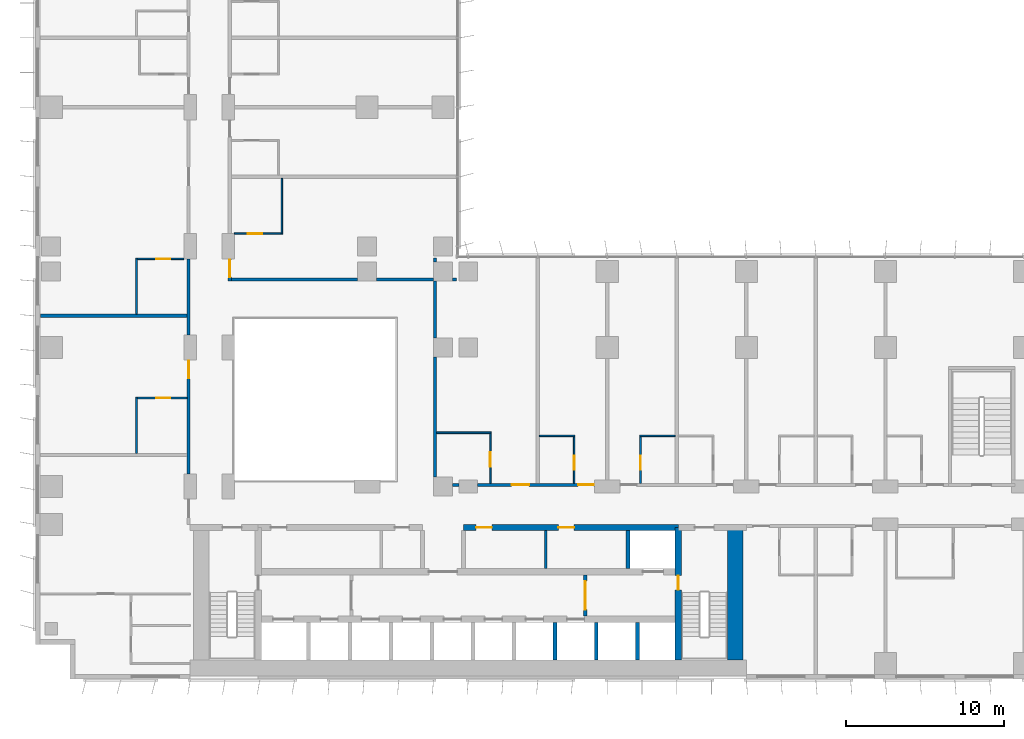
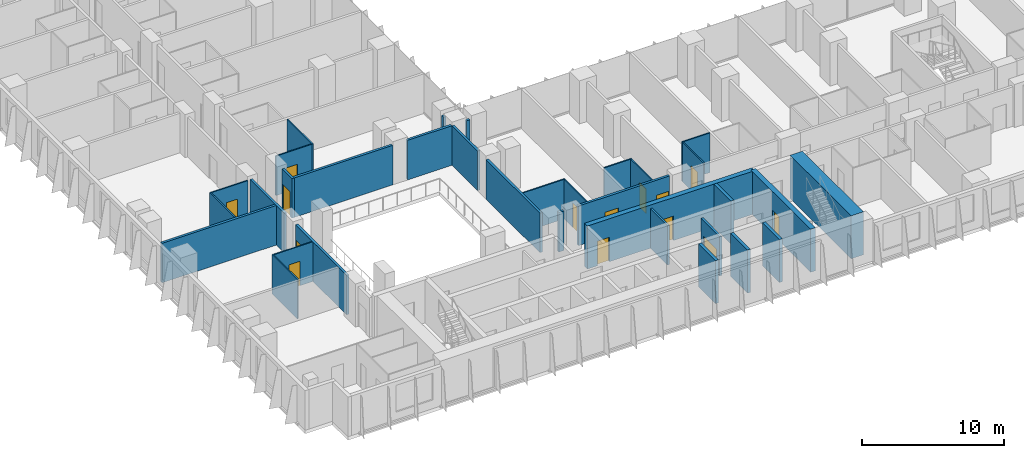
# One storey, part 13 of 24: 33 walls, 14 doors, 14 openings.
"""IFC4 building model written with IfcOpenShell, lengths in metres."""

from ifc_helpers import new_model, si_unit, direction, frame, frame_2d, origin, place, context, subcontext, project, spatial, rectangle, extrude, material, layer, layer_set, type_object, element, fill, save


model = new_model("IFC4")

# Units and contexts
model_context = context("Model", 3, precision=1e-05, world=origin(), true_north=direction((0.0, 1.0)))
body_context = subcontext(model_context, "Body", "Model", "MODEL_VIEW")
ifc_project = project(units=[si_unit("LENGTHUNIT", "METRE"), si_unit("AREAUNIT", "SQUARE_METRE"), si_unit("VOLUMEUNIT", "CUBIC_METRE"), si_unit("PLANEANGLEUNIT", "RADIAN"), si_unit("MASSUNIT", "GRAM", prefix="KILO")], contexts=[model_context])

# Site, building, storey
site_placement = place(None, origin())
site = spatial("IfcSite", under=ifc_project, at=site_placement, CompositionType="ELEMENT")
building_placement = place(site_placement, origin())
building = spatial("IfcBuilding", under=site, at=building_placement, Name="Kemantara Hotel Tower", CompositionType="ELEMENT")
storey_placement = place(building_placement, frame((0.0, 0.0, 37.699951171875)))
storey = spatial("IfcBuildingStorey", under=building, at=storey_placement, Name="L07", CompositionType="ELEMENT", Elevation=37.699951171875)

# Walls
ifc_material_1 = material(Name="Concrete fc 70 MPa", Category="concrete")
ifc_layer_1 = layer(ifc_material_1, 1.0)
ifc_layer_set_1 = layer_set([ifc_layer_1], Name="Concrete fc 70 MPa")
wall_type_1 = type_object("IfcWallType", Name="CORE WALL 1000 FC70", PredefinedType="SHEAR", material=ifc_layer_set_1)
wall_1_placement = place(storey_placement, frame((44.300048828125, 1.199951171875, 0.0), z_axis=(0.0, 0.0, 1.0), x_axis=(0.0, 1.0, 0.0)))
element("IfcWall", 1, at=wall_1_placement, inside=storey, type_object=wall_type_1, Name="CORE WALL CW-E", PredefinedType="SHEAR", context=body_context, shape_type="SweptSolid", body=[
    extrude(rectangle(XDim=8.60009765625, YDim=1.0, at=frame_2d((4.300048828125, 0.0))), origin(), (0.0, 0.0, 1.0), 3.699951171875),
])
ifc_layer_2 = layer(ifc_material_1, 0.25)
ifc_layer_set_2 = layer_set([ifc_layer_2], Name="Concrete fc 70 MPa")
wall_type_2 = type_object("IfcWallType", Name="CORE WALL 250 FC70", PredefinedType="SHEAR", material=ifc_layer_set_2)
for number, where, z_axis, x_axis, name in (
    (2, (32.89990234375, 1.199951171875, 0.0), (0.0, 0.0, 1.0), (0.0, 1.0, 0.0), "CORE WALL CW-DS32.9"),
    (3, (35.5, 1.199951171875, 0.0), (0.0, 0.0, 1.0), (0.0, 1.0, 0.0), "CORE WALL CW-DS35.5"),
    (4, (38.10009765625, 1.199951171875, 0.0), (0.0, 0.0, 1.0), (0.0, 1.0, 0.0), "CORE WALL CW-DS38.1"),
):
    element("IfcWall", number, at=place(storey_placement, frame(where, z_axis=z_axis, x_axis=x_axis)), inside=storey, type_object=wall_type_2, Name=name, PredefinedType="SHEAR", context=body_context, shape_type="SweptSolid", body=[
        extrude(rectangle(XDim=2.400146484375, YDim=0.25, at=frame_2d((1.2001953125, 0.0))), origin(), (0.0, 0.0, 1.0), 3.699951171875),
    ])
wall_2_placement = place(storey_placement, frame((37.5, 7.0, 0.0), z_axis=(0.0, 0.0, 1.0), x_axis=(0.0, 1.0, 0.0)))
element("IfcWall", 5, at=wall_2_placement, inside=storey, type_object=wall_type_2, Name="CORE WALL CW-DN37.5", PredefinedType="SHEAR", context=body_context, shape_type="SweptSolid", body=[
    extrude(rectangle(XDim=2.39990234375, YDim=0.25, at=frame_2d((1.199951171875, 0.0))), origin(), (0.0, 0.0, 1.0), 3.699951171875),
])

# Wall, openings, doors
ifc_layer_3 = layer(ifc_material_1, 0.39990234375)
ifc_layer_set_3 = layer_set([ifc_layer_3], Name="Concrete fc 70 MPa")
wall_type_3 = type_object("IfcWallType", Name="CORE WALL 400 FC70", PredefinedType="SHEAR", material=ifc_layer_set_3)
wall_3_placement = place(storey_placement, frame((27.10009765625, 9.60009765625, 0.0), z_axis=(0.0, 0.0, 1.0), x_axis=(1.0, 0.0, 0.0)))
wall_3 = element("IfcWall", 6, at=wall_3_placement, inside=storey, type_object=wall_type_3, Name="CORE WALL CW-NN2", PredefinedType="SHEAR", context=body_context, shape_type="SweptSolid", body=[
    extrude(rectangle(XDim=13.599853515625, YDim=0.39990234375, at=frame_2d((6.7998046875, 0.0))), origin(), (0.0, 0.0, 1.0), 3.699951171875),
])
opening_1_placement = place(wall_3_placement, frame((0.800048828125, 0.0, 0.0)))
opening_1 = element("IfcOpeningElement", 7, at=opening_1_placement, cuts=wall_3, Name="Opening C08-R-NE1", PredefinedType="OPENING", context=body_context, shape_type="SweptSolid", body=[
    extrude(rectangle(XDim=1.0, YDim=2.10009765625, at=frame_2d((0.5, 1.050048828125))), frame((0.0, 0.2099609375, 0.0), z_axis=(0.0, -1.0, 0.0), x_axis=(1.0, 0.0, 0.0)), (0.0, 0.0, 1.0), 0.419921875),
])
opening_2_placement = place(wall_3_placement, frame((6.0, 0.0, 0.0)))
opening_2 = element("IfcOpeningElement", 8, at=opening_2_placement, cuts=wall_3, Name="Opening C08-R-NE2", PredefinedType="OPENING", context=body_context, shape_type="SweptSolid", body=[
    extrude(rectangle(XDim=1.0, YDim=2.10009765625, at=frame_2d((0.5, 1.050048828125))), frame((0.0, 0.2099609375, 0.0), z_axis=(0.0, -1.0, 0.0), x_axis=(1.0, 0.0, 0.0)), (0.0, 0.0, 1.0), 0.419921875),
])
ifc_material_2 = material(Name="Steel fire door", Category="steel")
door_type_1 = type_object("IfcDoorType", Name="Fire door FD30S 1000 x 2100", OperationType="NOTDEFINED", PredefinedType="DOOR", material=ifc_material_2)
door_1_placement = place(opening_1_placement, frame((1.0, 0.0, 0.0), z_axis=(0.0, 0.0, 1.0), x_axis=(-1.0, 0.0, 0.0)))
door_1 = element("IfcDoor", 9, at=door_1_placement, inside=storey, type_object=door_type_1, Name="Staff Lounge door", OperationType="SINGLE_SWING_RIGHT", OverallHeight=2.10009765625, OverallWidth=1.0, PredefinedType="DOOR", context=body_context, shape_type="SweptSolid", body=[
    extrude(rectangle(XDim=1.0, YDim=2.10009765625, at=frame_2d((0.5, 1.050048828125))), frame((0.0, 0.02490234375, 0.0), z_axis=(0.0, -1.0, 0.0), x_axis=(1.0, 0.0, 0.0)), (0.0, 0.0, 1.0), 0.050048828125),
])
fill(opening_1, door_1)
door_2_placement = place(opening_2_placement, frame((1.0, 0.0, 0.0), z_axis=(0.0, 0.0, 1.0), x_axis=(-1.0, 0.0, 0.0)))
door_2 = element("IfcDoor", 10, at=door_2_placement, inside=storey, type_object=door_type_1, Name="Luggage Store door", OperationType="SINGLE_SWING_RIGHT", OverallHeight=2.10009765625, OverallWidth=1.0, PredefinedType="DOOR", context=body_context, shape_type="SweptSolid", body=[
    extrude(rectangle(XDim=1.0, YDim=2.10009765625, at=frame_2d((0.5, 1.050048828125))), frame((0.0, 0.02490234375, 0.0), z_axis=(0.0, -1.0, 0.0), x_axis=(1.0, 0.0, 0.0)), (0.0, 0.0, 1.0), 0.050048828125),
])
fill(opening_2, door_2)

# Wall, opening, door
wall_4_placement = place(storey_placement, frame((40.699951171875, 1.199951171875, 0.0), z_axis=(0.0, 0.0, 1.0), x_axis=(0.0, 1.0, 0.0)))
wall_4 = element("IfcWall", 11, at=wall_4_placement, inside=storey, type_object=wall_type_3, Name="CORE WALL CW-ST2W", PredefinedType="SHEAR", context=body_context, shape_type="SweptSolid", body=[
    extrude(rectangle(XDim=8.400146484375, YDim=0.39990234375, at=frame_2d((4.2001953125, 0.0))), origin(), (0.0, 0.0, 1.0), 3.699951171875),
])
opening_3_placement = place(wall_4_placement, frame((4.449951171875, 0.0, 0.0)))
opening_3 = element("IfcOpeningElement", 12, at=opening_3_placement, cuts=wall_4, Name="Opening C08-ST2-F", PredefinedType="OPENING", context=body_context, shape_type="SweptSolid", body=[
    extrude(rectangle(XDim=0.89990234375, YDim=2.10009765625, at=frame_2d((0.449951171875, 1.050048828125))), frame((0.0, 0.2099609375, 0.0), z_axis=(0.0, -1.0, 0.0), x_axis=(1.0, 0.0, 0.0)), (0.0, 0.0, 1.0), 0.419921875),
])
door_type_2 = type_object("IfcDoorType", Name="Fire door FD90 900 x 2100", OperationType="NOTDEFINED", PredefinedType="DOOR", material=ifc_material_2)
door_3_placement = place(opening_3_placement, frame((0.89990234375, 0.0, 0.0), z_axis=(0.0, 0.0, 1.0), x_axis=(-1.0, 0.0, 0.0)))
door_3 = element("IfcDoor", 13, at=door_3_placement, inside=storey, type_object=door_type_2, Name="Stair ST2 door to firefighting lobby", OperationType="SINGLE_SWING_LEFT", OverallHeight=2.10009765625, OverallWidth=0.89990234375, PredefinedType="DOOR", context=body_context, shape_type="SweptSolid", body=[
    extrude(rectangle(XDim=0.89990234375, YDim=2.10009765625, at=frame_2d((0.449951171875, 1.050048828125))), frame((0.0, 0.02490234375, 0.0), z_axis=(0.0, -1.0, 0.0), x_axis=(1.0, 0.0, 0.0)), (0.0, 0.0, 1.0), 0.050048828125),
])
fill(opening_3, door_3)

# Wall
ifc_material_3 = material(Name="Gypsum board partition, steel studs and mineral wool, 200 mm", Category="steel")
ifc_layer_4 = layer(ifc_material_3, 0.199951171875)
ifc_layer_set_4 = layer_set([ifc_layer_4], Name="Gypsum board partition, steel studs and mineral wool, 200 mm")
wall_type_4 = type_object("IfcWallType", Name="CORRIDOR WALL 200", PredefinedType="PARTITIONING", material=ifc_layer_set_4)
wall_5_placement = place(storey_placement, frame((26.400146484375, 12.300048828125, 0.0), z_axis=(0.0, 0.0, 1.0), x_axis=(1.0, 0.0, 0.0)))
element("IfcWall", 14, at=wall_5_placement, inside=storey, type_object=wall_type_4, Name="CORRIDOR WALL 200 014", PredefinedType="PARTITIONING", context=body_context, shape_type="SweptSolid", body=[
    extrude(rectangle(XDim=0.399658203125, YDim=0.199951171875, at=frame_2d((0.19970703125, 0.0))), origin(), (0.0, 0.0, 1.0), 3.400146484375),
])

# Wall, openings, doors
wall_6_placement = place(storey_placement, frame((28.0, 12.300048828125, 0.0), z_axis=(0.0, 0.0, 1.0), x_axis=(1.0, 0.0, 0.0)))
wall_6 = element("IfcWall", 15, at=wall_6_placement, inside=storey, type_object=wall_type_4, Name="CORRIDOR WALL 200 015", PredefinedType="PARTITIONING", context=body_context, shape_type="SweptSolid", body=[
    extrude(rectangle(XDim=7.39990234375, YDim=0.199951171875, at=frame_2d((3.699951171875, 0.0))), origin(), (0.0, 0.0, 1.0), 3.400146484375),
])
opening_4_placement = place(wall_6_placement, frame((2.14990234375, 0.0, 0.0)))
opening_4 = element("IfcOpeningElement", 16, at=opening_4_placement, cuts=wall_6, Name="Opening F01-013", PredefinedType="OPENING", context=body_context, shape_type="SweptSolid", body=[
    extrude(rectangle(XDim=1.10009765625, YDim=2.10009765625, at=frame_2d((0.550048828125, 1.050048828125))), frame((0.0, 0.10986328125, 0.0), z_axis=(0.0, -1.0, 0.0), x_axis=(1.0, 0.0, 0.0)), (0.0, 0.0, 1.0), 0.219970703125),
])
opening_5_placement = place(wall_6_placement, frame((6.349853515625, 0.0, 0.0)))
opening_5 = element("IfcOpeningElement", 17, at=opening_5_placement, cuts=wall_6, Name="Opening F01-015", PredefinedType="OPENING", context=body_context, shape_type="SweptSolid", body=[
    extrude(rectangle(XDim=1.0, YDim=2.10009765625, at=frame_2d((0.5, 1.050048828125))), frame((0.0, 0.10986328125, 0.0), z_axis=(0.0, -1.0, 0.0), x_axis=(1.0, 0.0, 0.0)), (0.0, 0.0, 1.0), 0.219970703125),
])
ifc_material_4 = material(Name="Hardwood veneer door leaf with steel frame", Category="steel")
door_type_3 = type_object("IfcDoorType", Name="GUEST ROOM DOOR 1000 X 2100 FD30S", OperationType="NOTDEFINED", PredefinedType="DOOR", material=ifc_material_4)
door_4_placement = place(opening_5_placement, origin())
door_4 = element("IfcDoor", 18, at=door_4_placement, inside=storey, type_object=door_type_3, Name="GUEST ROOM DOOR F01-015", OperationType="SINGLE_SWING_RIGHT", OverallHeight=2.10009765625, OverallWidth=1.0, PredefinedType="DOOR", context=body_context, shape_type="SweptSolid", body=[
    extrude(rectangle(XDim=1.0, YDim=2.10009765625, at=frame_2d((0.5, 1.050048828125))), frame((0.0, 0.02490234375, 0.0), z_axis=(0.0, -1.0, 0.0), x_axis=(1.0, 0.0, 0.0)), (0.0, 0.0, 1.0), 0.050048828125),
])
fill(opening_5, door_4)
door_type_4 = type_object("IfcDoorType", Name="SUITE ENTRANCE DOOR 1100 X 2100 FD30S", OperationType="NOTDEFINED", PredefinedType="DOOR", material=ifc_material_4)
door_5_placement = place(opening_4_placement, origin())
door_5 = element("IfcDoor", 19, at=door_5_placement, inside=storey, type_object=door_type_4, Name="SUITE ENTRANCE DOOR F01-013", OperationType="SINGLE_SWING_RIGHT", OverallHeight=2.10009765625, OverallWidth=1.10009765625, PredefinedType="DOOR", context=body_context, shape_type="SweptSolid", body=[
    extrude(rectangle(XDim=1.10009765625, YDim=2.10009765625, at=frame_2d((0.550048828125, 1.050048828125))), frame((0.0, 0.02490234375, 0.0), z_axis=(0.0, -1.0, 0.0), x_axis=(1.0, 0.0, 0.0)), (0.0, 0.0, 1.0), 0.050048828125),
])
fill(opening_4, door_5)

# Wall, opening, door
wall_7_placement = place(storey_placement, frame((9.699951171875, 13.0, 0.0), z_axis=(0.0, 0.0, 1.0), x_axis=(0.0, 1.0, 0.0)))
wall_7 = element("IfcWall", 20, at=wall_7_placement, inside=storey, type_object=wall_type_4, Name="CORRIDOR WALL 200 031", PredefinedType="PARTITIONING", context=body_context, shape_type="SweptSolid", body=[
    extrude(rectangle(XDim=7.199951171875, YDim=0.199951171875, at=frame_2d((3.60009765625, 0.0))), origin(), (0.0, 0.0, 1.0), 3.400146484375),
])
opening_6_placement = place(wall_7_placement, frame((6.0498046875, 0.0, 0.0)))
opening_6 = element("IfcOpeningElement", 21, at=opening_6_placement, cuts=wall_7, Name="Opening F01-037", PredefinedType="OPENING", context=body_context, shape_type="SweptSolid", body=[
    extrude(rectangle(XDim=1.10009765625, YDim=2.10009765625, at=frame_2d((0.550048828125, 1.050048828125))), frame((0.0, 0.10986328125, 0.0), z_axis=(0.0, -1.0, 0.0), x_axis=(1.0, 0.0, 0.0)), (0.0, 0.0, 1.0), 0.219970703125),
])
door_6_placement = place(opening_6_placement, origin())
door_6 = element("IfcDoor", 22, at=door_6_placement, inside=storey, type_object=door_type_4, Name="SUITE ENTRANCE DOOR F01-037", OperationType="SINGLE_SWING_RIGHT", OverallHeight=2.10009765625, OverallWidth=1.10009765625, PredefinedType="DOOR", context=body_context, shape_type="SweptSolid", body=[
    extrude(rectangle(XDim=1.10009765625, YDim=2.10009765625, at=frame_2d((0.550048828125, 1.050048828125))), frame((0.0, 0.02490234375, 0.0), z_axis=(0.0, -1.0, 0.0), x_axis=(1.0, 0.0, 0.0)), (0.0, 0.0, 1.0), 0.050048828125),
])
fill(opening_6, door_6)

# Wall
wall_8_placement = place(storey_placement, frame((9.699951171875, 21.800048828125, 0.0), z_axis=(0.0, 0.0, 1.0), x_axis=(0.0, 1.0, 0.0)))
element("IfcWall", 23, at=wall_8_placement, inside=storey, type_object=wall_type_4, Name="CORRIDOR WALL 200 032", PredefinedType="PARTITIONING", context=body_context, shape_type="SweptSolid", body=[
    extrude(rectangle(XDim=4.7998046875, YDim=0.199951171875, at=frame_2d((2.39990234375, 0.0))), origin(), (0.0, 0.0, 1.0), 3.400146484375),
])

# Wall, opening, door
wall_9_placement = place(storey_placement, frame((12.300048828125, 26.599853515625, 0.0), z_axis=(0.0, 0.0, 1.0), x_axis=(0.0, -1.0, 0.0)))
wall_9 = element("IfcWall", 24, at=wall_9_placement, inside=storey, type_object=wall_type_4, Name="CORRIDOR WALL 200 056", PredefinedType="PARTITIONING", context=body_context, shape_type="SweptSolid", body=[
    extrude(rectangle(XDim=1.39990234375, YDim=0.199951171875, at=frame_2d((0.699951171875, 0.0))), origin(), (0.0, 0.0, 1.0), 3.400146484375),
])
opening_7_placement = place(wall_9_placement, frame((0.0498046875, 0.0, 0.0)))
opening_7 = element("IfcOpeningElement", 25, at=opening_7_placement, cuts=wall_9, Name="Opening F01-057", PredefinedType="OPENING", context=body_context, shape_type="SweptSolid", body=[
    extrude(rectangle(XDim=1.10009765625, YDim=2.10009765625, at=frame_2d((0.550048828125, 1.050048828125))), frame((0.0, 0.10986328125, 0.0), z_axis=(0.0, -1.0, 0.0), x_axis=(1.0, 0.0, 0.0)), (0.0, 0.0, 1.0), 0.219970703125),
])
door_7_placement = place(opening_7_placement, origin())
door_7 = element("IfcDoor", 26, at=door_7_placement, inside=storey, type_object=door_type_4, Name="SUITE ENTRANCE DOOR F01-057", OperationType="SINGLE_SWING_RIGHT", OverallHeight=2.10009765625, OverallWidth=1.10009765625, PredefinedType="DOOR", context=body_context, shape_type="SweptSolid", body=[
    extrude(rectangle(XDim=1.10009765625, YDim=2.10009765625, at=frame_2d((0.550048828125, 1.050048828125))), frame((0.0, 0.02490234375, 0.0), z_axis=(0.0, -1.0, 0.0), x_axis=(1.0, 0.0, 0.0)), (0.0, 0.0, 1.0), 0.050048828125),
])
fill(opening_7, door_7)

# Walls
ifc_layer_5 = layer(ifc_material_3, 0.199951171875)
ifc_layer_set_5 = layer_set([ifc_layer_5], Name="Gypsum board partition, steel studs and mineral wool, 200 mm")
wall_type_5 = type_object("IfcWallType", Name="GUEST ROOM PARTY WALL 200", PredefinedType="PARTITIONING", material=ifc_layer_set_5)
wall_10_placement = place(storey_placement, frame((25.300048828125, 12.800048828125, 0.0), z_axis=(0.0, 0.0, 1.0), x_axis=(0.0, 1.0, 0.0)))
element("IfcWall", 27, at=wall_10_placement, inside=storey, type_object=wall_type_5, Name="GUEST ROOM PARTY WALL 200 021", PredefinedType="PARTITIONING", context=body_context, shape_type="SweptSolid", body=[
    extrude(rectangle(XDim=7.599853515625, YDim=0.199951171875, at=frame_2d((3.7998046875, 0.0))), origin(), (0.0, 0.0, 1.0), 3.400146484375),
])
wall_11_placement = place(storey_placement, frame((25.300048828125, 21.60009765625, 0.0), z_axis=(0.0, 0.0, 1.0), x_axis=(0.0, 1.0, 0.0)))
element("IfcWall", 28, at=wall_11_placement, inside=storey, type_object=wall_type_5, Name="GUEST ROOM PARTY WALL 200 022", PredefinedType="PARTITIONING", context=body_context, shape_type="SweptSolid", body=[
    extrude(rectangle(XDim=3.599853515625, YDim=0.199951171875, at=frame_2d((1.7998046875, 0.0))), origin(), (0.0, 0.0, 1.0), 3.400146484375),
])
wall_12_placement = place(storey_placement, frame((25.300048828125, 26.400146484375, 0.0), z_axis=(0.0, 0.0, 1.0), x_axis=(0.0, 1.0, 0.0)))
element("IfcWall", 29, at=wall_12_placement, inside=storey, type_object=wall_type_5, Name="GUEST ROOM PARTY WALL 200 023", PredefinedType="PARTITIONING", context=body_context, shape_type="SweptSolid", body=[
    extrude(rectangle(XDim=0.269775390625, YDim=0.199951171875, at=frame_2d((0.134765625, 0.0))), origin(), (0.0, 0.0, 1.0), 3.400146484375),
])
wall_13_placement = place(storey_placement, frame((0.31005859375, 23.0, 0.0), z_axis=(0.0, 0.0, 1.0), x_axis=(1.0, 0.0, 0.0)))
element("IfcWall", 30, at=wall_13_placement, inside=storey, type_object=wall_type_5, Name="GUEST ROOM PARTY WALL 200 040", PredefinedType="PARTITIONING", context=body_context, shape_type="SweptSolid", body=[
    extrude(rectangle(XDim=9.2900390625, YDim=0.199951171875, at=frame_2d((4.64501953125, 0.0))), origin(), (0.0, 0.0, 1.0), 3.400146484375),
])
wall_14_placement = place(storey_placement, frame((12.39990234375, 25.300048828125, 0.0), z_axis=(0.0, 0.0, 1.0), x_axis=(1.0, 0.0, 0.0)))
element("IfcWall", 31, at=wall_14_placement, inside=storey, type_object=wall_type_5, Name="GUEST ROOM PARTY WALL 200 063", PredefinedType="PARTITIONING", context=body_context, shape_type="SweptSolid", body=[
    extrude(rectangle(XDim=8.0, YDim=0.199951171875, at=frame_2d((4.0, 0.0))), origin(), (0.0, 0.0, 1.0), 3.400146484375),
])
wall_15_placement = place(storey_placement, frame((21.60009765625, 25.300048828125, 0.0), z_axis=(0.0, 0.0, 1.0), x_axis=(1.0, 0.0, 0.0)))
element("IfcWall", 32, at=wall_15_placement, inside=storey, type_object=wall_type_5, Name="GUEST ROOM PARTY WALL 200 064", PredefinedType="PARTITIONING", context=body_context, shape_type="SweptSolid", body=[
    extrude(rectangle(XDim=3.599853515625, YDim=0.199951171875, at=frame_2d((1.7998046875, 0.0))), origin(), (0.0, 0.0, 1.0), 3.400146484375),
])
wall_16_placement = place(storey_placement, frame((26.400146484375, 25.300048828125, 0.0), z_axis=(0.0, 0.0, 1.0), x_axis=(1.0, 0.0, 0.0)))
element("IfcWall", 33, at=wall_16_placement, inside=storey, type_object=wall_type_5, Name="GUEST ROOM PARTY WALL 200 065", PredefinedType="PARTITIONING", context=body_context, shape_type="SweptSolid", body=[
    extrude(rectangle(XDim=0.269775390625, YDim=0.199951171875, at=frame_2d((0.134765625, 0.0))), origin(), (0.0, 0.0, 1.0), 3.400146484375),
])
ifc_material_5 = material(Name="Gypsum board partition")
ifc_layer_6 = layer(ifc_material_5, 0.14990234375)
ifc_layer_set_6 = layer_set([ifc_layer_6], Name="Gypsum board partition")
wall_type_6 = type_object("IfcWallType", Name="Gypsum board partition 150 mm", PredefinedType="PARTITIONING", material=ifc_layer_set_6)
wall_17_placement = place(storey_placement, frame((32.300048828125, 7.0, 0.0), z_axis=(0.0, 0.0, 1.0), x_axis=(0.0, 1.0, 0.0)))
element("IfcWall", 34, at=wall_17_placement, inside=storey, type_object=wall_type_6, Name="Core room partition", PredefinedType="PARTITIONING", context=body_context, shape_type="SweptSolid", body=[
    extrude(rectangle(XDim=2.39990234375, YDim=0.14990234375, at=frame_2d((1.199951171875, 0.0))), origin(), (0.0, 0.0, 1.0), 3.400146484375),
])

# Wall, opening, door
ifc_material_6 = material(Name="Gypsum board shaft wall")
ifc_layer_7 = layer(ifc_material_6, 0.199951171875)
ifc_layer_set_7 = layer_set([ifc_layer_7], Name="Gypsum board shaft wall")
wall_type_7 = type_object("IfcWallType", Name="Gypsum board shaft wall 200 mm", PredefinedType="PARTITIONING", material=ifc_layer_set_7)
wall_18_placement = place(storey_placement, frame((34.800048828125, 4.0, 0.0), z_axis=(0.0, 0.0, 1.0), x_axis=(0.0, 1.0, 0.0)))
wall_18 = element("IfcWall", 35, at=wall_18_placement, inside=storey, type_object=wall_type_7, Name="Firefighting lobby partition east", PredefinedType="PARTITIONING", context=body_context, shape_type="SweptSolid", body=[
    extrude(rectangle(XDim=2.60009765625, YDim=0.199951171875, at=frame_2d((1.300048828125, 0.0))), origin(), (0.0, 0.0, 1.0), 3.400146484375),
])
opening_8_placement = place(wall_18_placement, frame((0.39990234375, 0.0, 0.0)))
opening_8 = element("IfcOpeningElement", 36, at=opening_8_placement, cuts=wall_18, Name="Opening C08-FFE", PredefinedType="OPENING", context=body_context, shape_type="SweptSolid", body=[
    extrude(rectangle(XDim=1.800048828125, YDim=2.10009765625, at=frame_2d((0.89990234375, 1.050048828125))), frame((0.0, 0.10986328125, 0.0), z_axis=(0.0, -1.0, 0.0), x_axis=(1.0, 0.0, 0.0)), (0.0, 0.0, 1.0), 0.219970703125),
])
door_type_5 = type_object("IfcDoorType", Name="Fire door pair FD60 1800 x 2100", OperationType="DOUBLE_DOOR_SINGLE_SWING", PredefinedType="DOOR", material=ifc_material_2)
door_8_placement = place(opening_8_placement, frame((1.800048828125, 0.0, 0.0), z_axis=(0.0, 0.0, 1.0), x_axis=(-1.0, 0.0, 0.0)))
door_8 = element("IfcDoor", 37, at=door_8_placement, inside=storey, type_object=door_type_5, Name="Firefighting lobby door east", OperationType="DOUBLE_DOOR_SINGLE_SWING", OverallHeight=2.10009765625, OverallWidth=1.800048828125, PredefinedType="DOOR", context=body_context, shape_type="SweptSolid", body=[
    extrude(rectangle(XDim=1.800048828125, YDim=2.10009765625, at=frame_2d((0.89990234375, 1.050048828125))), frame((0.0, 0.02490234375, 0.0), z_axis=(0.0, -1.0, 0.0), x_axis=(1.0, 0.0, 0.0)), (0.0, 0.0, 1.0), 0.050048828125),
])
fill(opening_8, door_8)

# Wall
ifc_material_7 = material(Name="Gypsum board partition on steel studs, 100 mm", Category="steel")
ifc_layer_8 = layer(ifc_material_7, 0.10009765625)
ifc_layer_set_8 = layer_set([ifc_layer_8], Name="Gypsum board partition on steel studs, 100 mm")
wall_type_8 = type_object("IfcWallType", Name="ROOM PARTITION 100", PredefinedType="PARTITIONING", material=ifc_layer_set_8)
wall_19_placement = place(storey_placement, frame((25.39990234375, 15.60009765625, 0.0), z_axis=(0.0, 0.0, 1.0), x_axis=(1.0, 0.0, 0.0)))
element("IfcWall", 38, at=wall_19_placement, inside=storey, type_object=wall_type_8, Name="ROOM PARTITION 100 089", PredefinedType="PARTITIONING", context=body_context, shape_type="SweptSolid", body=[
    extrude(rectangle(XDim=3.4501953125, YDim=0.10009765625, at=frame_2d((1.72509765625, 0.0))), origin(), (0.0, 0.0, 1.0), 3.400146484375),
])

# Wall, opening, door
wall_20_placement = place(storey_placement, frame((28.800048828125, 12.39990234375, 0.0), z_axis=(0.0, 0.0, 1.0), x_axis=(0.0, 1.0, 0.0)))
wall_20 = element("IfcWall", 39, at=wall_20_placement, inside=storey, type_object=wall_type_8, Name="ROOM PARTITION 100 090", PredefinedType="PARTITIONING", context=body_context, shape_type="SweptSolid", body=[
    extrude(rectangle(XDim=3.150146484375, YDim=0.10009765625, at=frame_2d((1.5751953125, 0.0))), origin(), (0.0, 0.0, 1.0), 3.400146484375),
])
opening_9_placement = place(wall_20_placement, frame((1.050048828125, 0.0, 0.0)))
opening_9 = element("IfcOpeningElement", 40, at=opening_9_placement, cuts=wall_20, Name="Opening F01-014", PredefinedType="OPENING", context=body_context, shape_type="SweptSolid", body=[
    extrude(rectangle(XDim=0.89990234375, YDim=2.10009765625, at=frame_2d((0.449951171875, 1.050048828125))), frame((0.0, 0.06005859375, 0.0), z_axis=(0.0, -1.0, 0.0), x_axis=(1.0, 0.0, 0.0)), (0.0, 0.0, 1.0), 0.1201171875),
])
door_type_6 = type_object("IfcDoorType", Name="BATHROOM DOOR 900 X 2100", OperationType="NOTDEFINED", PredefinedType="DOOR", material=ifc_material_4)
door_9_placement = place(opening_9_placement, origin())
door_9 = element("IfcDoor", 41, at=door_9_placement, inside=storey, type_object=door_type_6, Name="BATHROOM DOOR F01-014", OperationType="SINGLE_SWING_LEFT", OverallHeight=2.10009765625, OverallWidth=0.89990234375, PredefinedType="DOOR", context=body_context, shape_type="SweptSolid", body=[
    extrude(rectangle(XDim=0.89990234375, YDim=2.10009765625, at=frame_2d((0.449951171875, 1.050048828125))), frame((0.0, 0.02490234375, 0.0), z_axis=(0.0, -1.0, 0.0), x_axis=(1.0, 0.0, 0.0)), (0.0, 0.0, 1.0), 0.050048828125),
])
fill(opening_9, door_9)

# Walls
for number, where, z_axis, x_axis, name in (
    (42, (31.89990234375, 15.39990234375, 0.0), (0.0, 0.0, 1.0), (1.0, 0.0, 0.0), "ROOM PARTITION 100 091"),
    (43, (38.25, 15.39990234375, 0.0), (0.0, 0.0, 1.0), (1.0, 0.0, 0.0), "ROOM PARTITION 100 092"),
):
    element("IfcWall", number, at=place(storey_placement, frame(where, z_axis=z_axis, x_axis=x_axis)), inside=storey, type_object=wall_type_8, Name=name, PredefinedType="PARTITIONING", context=body_context, shape_type="SweptSolid", body=[
        extrude(rectangle(XDim=2.25, YDim=0.10009765625, at=frame_2d((1.125, 0.0))), origin(), (0.0, 0.0, 1.0), 3.400146484375),
    ])

# Wall, opening, door
wall_21_placement = place(storey_placement, frame((34.10009765625, 12.39990234375, 0.0), z_axis=(0.0, 0.0, 1.0), x_axis=(0.0, 1.0, 0.0)))
wall_21 = element("IfcWall", 44, at=wall_21_placement, inside=storey, type_object=wall_type_8, Name="ROOM PARTITION 100 099", PredefinedType="PARTITIONING", context=body_context, shape_type="SweptSolid", body=[
    extrude(rectangle(XDim=2.9501953125, YDim=0.10009765625, at=frame_2d((1.47509765625, 0.0))), origin(), (0.0, 0.0, 1.0), 3.400146484375),
])
opening_10_placement = place(wall_21_placement, frame((0.85009765625, 0.0, 0.0)))
opening_10 = element("IfcOpeningElement", 45, at=opening_10_placement, cuts=wall_21, Name="Opening F01-016", PredefinedType="OPENING", context=body_context, shape_type="SweptSolid", body=[
    extrude(rectangle(XDim=0.89990234375, YDim=2.10009765625, at=frame_2d((0.449951171875, 1.050048828125))), frame((0.0, 0.06005859375, 0.0), z_axis=(0.0, -1.0, 0.0), x_axis=(1.0, 0.0, 0.0)), (0.0, 0.0, 1.0), 0.1201171875),
])
door_10_placement = place(opening_10_placement, origin())
door_10 = element("IfcDoor", 46, at=door_10_placement, inside=storey, type_object=door_type_6, Name="BATHROOM DOOR F01-016", OperationType="SINGLE_SWING_LEFT", OverallHeight=2.10009765625, OverallWidth=0.89990234375, PredefinedType="DOOR", context=body_context, shape_type="SweptSolid", body=[
    extrude(rectangle(XDim=0.89990234375, YDim=2.10009765625, at=frame_2d((0.449951171875, 1.050048828125))), frame((0.0, 0.02490234375, 0.0), z_axis=(0.0, -1.0, 0.0), x_axis=(1.0, 0.0, 0.0)), (0.0, 0.0, 1.0), 0.050048828125),
])
fill(opening_10, door_10)

wall_22_placement = place(storey_placement, frame((38.300048828125, 15.35009765625, 0.0), z_axis=(0.0, 0.0, 1.0), x_axis=(0.0, -1.0, 0.0)))
wall_22 = element("IfcWall", 47, at=wall_22_placement, inside=storey, type_object=wall_type_8, Name="ROOM PARTITION 100 100", PredefinedType="PARTITIONING", context=body_context, shape_type="SweptSolid", body=[
    extrude(rectangle(XDim=2.9501953125, YDim=0.10009765625, at=frame_2d((1.47509765625, 0.0))), origin(), (0.0, 0.0, 1.0), 3.400146484375),
])
opening_11_placement = place(wall_22_placement, frame((1.199951171875, 0.0, 0.0)))
opening_11 = element("IfcOpeningElement", 48, at=opening_11_placement, cuts=wall_22, Name="Opening F01-018", PredefinedType="OPENING", context=body_context, shape_type="SweptSolid", body=[
    extrude(rectangle(XDim=0.89990234375, YDim=2.10009765625, at=frame_2d((0.449951171875, 1.050048828125))), frame((0.0, 0.06005859375, 0.0), z_axis=(0.0, -1.0, 0.0), x_axis=(1.0, 0.0, 0.0)), (0.0, 0.0, 1.0), 0.1201171875),
])
door_11_placement = place(opening_11_placement, origin())
door_11 = element("IfcDoor", 49, at=door_11_placement, inside=storey, type_object=door_type_6, Name="BATHROOM DOOR F01-018", OperationType="SINGLE_SWING_RIGHT", OverallHeight=2.10009765625, OverallWidth=0.89990234375, PredefinedType="DOOR", context=body_context, shape_type="SweptSolid", body=[
    extrude(rectangle(XDim=0.89990234375, YDim=2.10009765625, at=frame_2d((0.449951171875, 1.050048828125))), frame((0.0, 0.02490234375, 0.0), z_axis=(0.0, -1.0, 0.0), x_axis=(1.0, 0.0, 0.0)), (0.0, 0.0, 1.0), 0.050048828125),
])
fill(opening_11, door_11)

# Walls
wall_23_placement = place(storey_placement, frame((6.39990234375, 14.300048828125, 0.0), z_axis=(0.0, 0.0, 1.0), x_axis=(0.0, 1.0, 0.0)))
element("IfcWall", 50, at=wall_23_placement, inside=storey, type_object=wall_type_8, Name="ROOM PARTITION 100 110", PredefinedType="PARTITIONING", context=body_context, shape_type="SweptSolid", body=[
    extrude(rectangle(XDim=3.550048828125, YDim=0.10009765625, at=frame_2d((1.77490234375, 0.0))), origin(), (0.0, 0.0, 1.0), 3.400146484375),
])
wall_24_placement = place(storey_placement, frame((6.39990234375, 23.10009765625, 0.0), z_axis=(0.0, 0.0, 1.0), x_axis=(0.0, 1.0, 0.0)))
element("IfcWall", 51, at=wall_24_placement, inside=storey, type_object=wall_type_8, Name="ROOM PARTITION 100 111", PredefinedType="PARTITIONING", context=body_context, shape_type="SweptSolid", body=[
    extrude(rectangle(XDim=3.5498046875, YDim=0.10009765625, at=frame_2d((1.77490234375, 0.0))), origin(), (0.0, 0.0, 1.0), 3.400146484375),
])

# Wall, opening, door
wall_25_placement = place(storey_placement, frame((9.60009765625, 17.800048828125, 0.0), z_axis=(0.0, 0.0, 1.0), x_axis=(-1.0, 0.0, 0.0)))
wall_25 = element("IfcWall", 52, at=wall_25_placement, inside=storey, type_object=wall_type_8, Name="ROOM PARTITION 100 114", PredefinedType="PARTITIONING", context=body_context, shape_type="SweptSolid", body=[
    extrude(rectangle(XDim=3.150146484375, YDim=0.10009765625, at=frame_2d((1.5751953125, 0.0))), origin(), (0.0, 0.0, 1.0), 3.400146484375),
])
opening_12_placement = place(wall_25_placement, frame((1.050048828125, 0.0, 0.0)))
opening_12 = element("IfcOpeningElement", 53, at=opening_12_placement, cuts=wall_25, Name="Opening F01-038", PredefinedType="OPENING", context=body_context, shape_type="SweptSolid", body=[
    extrude(rectangle(XDim=0.89990234375, YDim=2.10009765625, at=frame_2d((0.449951171875, 1.050048828125))), frame((0.0, 0.06005859375, 0.0), z_axis=(0.0, -1.0, 0.0), x_axis=(1.0, 0.0, 0.0)), (0.0, 0.0, 1.0), 0.1201171875),
])
door_12_placement = place(opening_12_placement, origin())
door_12 = element("IfcDoor", 54, at=door_12_placement, inside=storey, type_object=door_type_6, Name="BATHROOM DOOR F01-038", OperationType="SINGLE_SWING_LEFT", OverallHeight=2.10009765625, OverallWidth=0.89990234375, PredefinedType="DOOR", context=body_context, shape_type="SweptSolid", body=[
    extrude(rectangle(XDim=0.89990234375, YDim=2.10009765625, at=frame_2d((0.449951171875, 1.050048828125))), frame((0.0, 0.02490234375, 0.0), z_axis=(0.0, -1.0, 0.0), x_axis=(1.0, 0.0, 0.0)), (0.0, 0.0, 1.0), 0.050048828125),
])
fill(opening_12, door_12)

wall_26_placement = place(storey_placement, frame((9.39990234375, 26.60009765625, 0.0), z_axis=(0.0, 0.0, 1.0), x_axis=(-1.0, 0.0, 0.0)))
wall_26 = element("IfcWall", 55, at=wall_26_placement, inside=storey, type_object=wall_type_8, Name="ROOM PARTITION 100 115", PredefinedType="PARTITIONING", context=body_context, shape_type="SweptSolid", body=[
    extrude(rectangle(XDim=2.949951171875, YDim=0.10009765625, at=frame_2d((1.47509765625, 0.0))), origin(), (0.0, 0.0, 1.0), 3.400146484375),
])
opening_13_placement = place(wall_26_placement, frame((0.849853515625, 0.0, 0.0)))
opening_13 = element("IfcOpeningElement", 56, at=opening_13_placement, cuts=wall_26, Name="Opening F01-040", PredefinedType="OPENING", context=body_context, shape_type="SweptSolid", body=[
    extrude(rectangle(XDim=0.89990234375, YDim=2.10009765625, at=frame_2d((0.449951171875, 1.050048828125))), frame((0.0, 0.06005859375, 0.0), z_axis=(0.0, -1.0, 0.0), x_axis=(1.0, 0.0, 0.0)), (0.0, 0.0, 1.0), 0.1201171875),
])
door_13_placement = place(opening_13_placement, origin())
door_13 = element("IfcDoor", 57, at=door_13_placement, inside=storey, type_object=door_type_6, Name="BATHROOM DOOR F01-040", OperationType="SINGLE_SWING_LEFT", OverallHeight=2.10009765625, OverallWidth=0.89990234375, PredefinedType="DOOR", context=body_context, shape_type="SweptSolid", body=[
    extrude(rectangle(XDim=0.89990234375, YDim=2.10009765625, at=frame_2d((0.449951171875, 1.050048828125))), frame((0.0, 0.02490234375, 0.0), z_axis=(0.0, -1.0, 0.0), x_axis=(1.0, 0.0, 0.0)), (0.0, 0.0, 1.0), 0.050048828125),
])
fill(opening_13, door_13)

# Wall
wall_27_placement = place(storey_placement, frame((15.60009765625, 28.14990234375, 0.0), z_axis=(0.0, 0.0, 1.0), x_axis=(0.0, 1.0, 0.0)))
element("IfcWall", 58, at=wall_27_placement, inside=storey, type_object=wall_type_8, Name="ROOM PARTITION 100 133", PredefinedType="PARTITIONING", context=body_context, shape_type="SweptSolid", body=[
    extrude(rectangle(XDim=3.550048828125, YDim=0.10009765625, at=frame_2d((1.77490234375, 0.0))), origin(), (0.0, 0.0, 1.0), 3.400146484375),
])

# Wall, opening, door
wall_28_placement = place(storey_placement, frame((12.60009765625, 28.199951171875, 0.0), z_axis=(0.0, 0.0, 1.0), x_axis=(1.0, 0.0, 0.0)))
wall_28 = element("IfcWall", 59, at=wall_28_placement, inside=storey, type_object=wall_type_8, Name="ROOM PARTITION 100 135", PredefinedType="PARTITIONING", context=body_context, shape_type="SweptSolid", body=[
    extrude(rectangle(XDim=2.949951171875, YDim=0.10009765625, at=frame_2d((1.47509765625, 0.0))), origin(), (0.0, 0.0, 1.0), 3.400146484375),
])
opening_14_placement = place(wall_28_placement, frame((0.849853515625, 0.0, 0.0)))
opening_14 = element("IfcOpeningElement", 60, at=opening_14_placement, cuts=wall_28, Name="Opening F01-058", PredefinedType="OPENING", context=body_context, shape_type="SweptSolid", body=[
    extrude(rectangle(XDim=0.89990234375, YDim=2.10009765625, at=frame_2d((0.449951171875, 1.050048828125))), frame((0.0, 0.06005859375, 0.0), z_axis=(0.0, -1.0, 0.0), x_axis=(1.0, 0.0, 0.0)), (0.0, 0.0, 1.0), 0.1201171875),
])
door_14_placement = place(opening_14_placement, origin())
door_14 = element("IfcDoor", 61, at=door_14_placement, inside=storey, type_object=door_type_6, Name="BATHROOM DOOR F01-058", OperationType="SINGLE_SWING_LEFT", OverallHeight=2.10009765625, OverallWidth=0.89990234375, PredefinedType="DOOR", context=body_context, shape_type="SweptSolid", body=[
    extrude(rectangle(XDim=0.89990234375, YDim=2.10009765625, at=frame_2d((0.449951171875, 1.050048828125))), frame((0.0, 0.02490234375, 0.0), z_axis=(0.0, -1.0, 0.0), x_axis=(1.0, 0.0, 0.0)), (0.0, 0.0, 1.0), 0.050048828125),
])
fill(opening_14, door_14)

save(model, "model.ifc")
